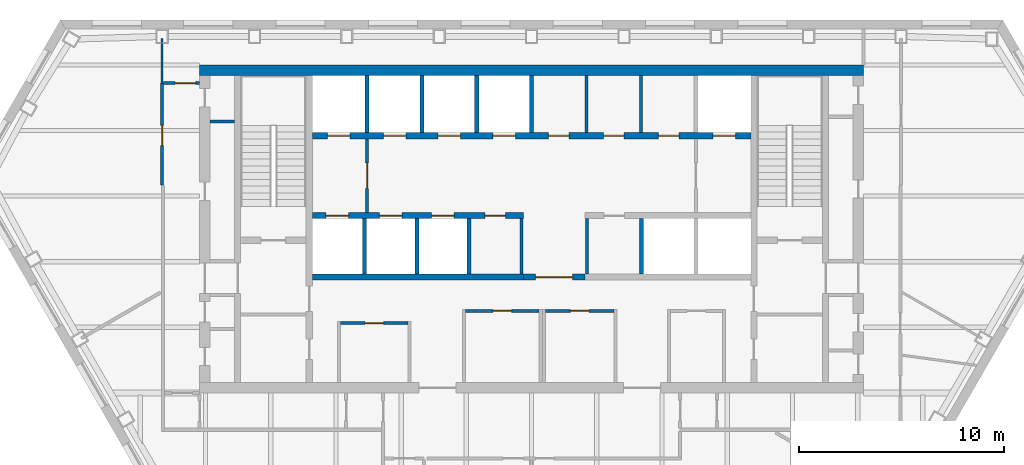
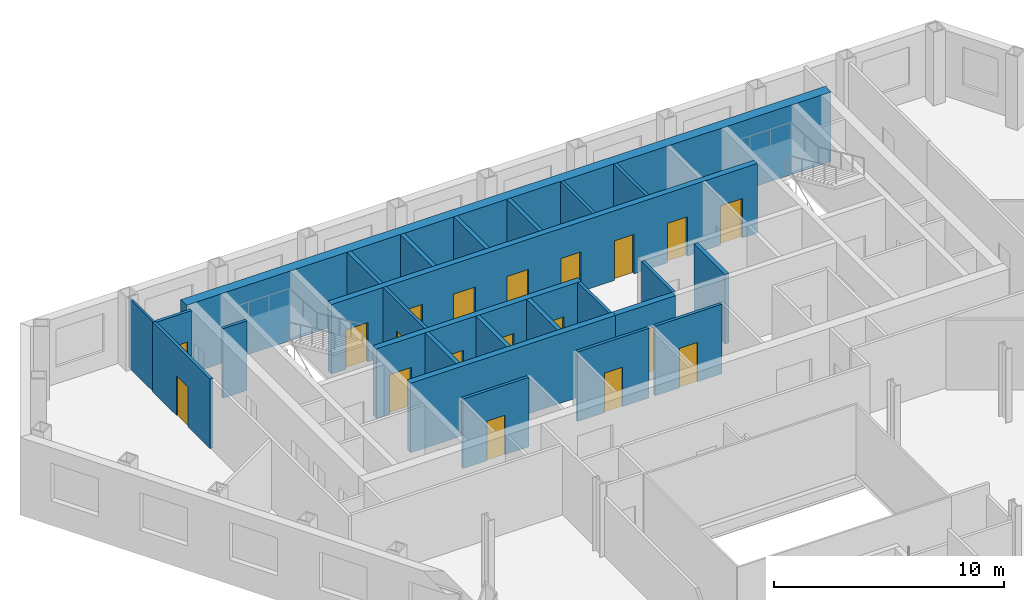
# One storey, part 6 of 11: 25 walls, 19 doors, 19 openings.
"""IFC4 building model written with IfcOpenShell, lengths in metres."""

from ifc_helpers import new_model, si_unit, direction, frame, frame_2d, origin, place, context, subcontext, project, spatial, rectangle, extrude, material, layer, layer_set, type_object, element, fill, save


model = new_model("IFC4")

# Units and contexts
model_context = context("Model", 3, precision=1e-05, world=origin(), true_north=direction((0.0, 1.0)))
body_context = subcontext(model_context, "Body", "Model", "MODEL_VIEW")
ifc_project = project(units=[si_unit("LENGTHUNIT", "METRE"), si_unit("AREAUNIT", "SQUARE_METRE"), si_unit("VOLUMEUNIT", "CUBIC_METRE"), si_unit("PLANEANGLEUNIT", "RADIAN"), si_unit("MASSUNIT", "GRAM", prefix="KILO")], contexts=[model_context])

# Site, building, storey
site_placement = place(None, origin())
site = spatial("IfcSite", under=ifc_project, at=site_placement, CompositionType="ELEMENT")
building_placement = place(site_placement, origin())
building = spatial("IfcBuilding", under=site, at=building_placement, Name="Njiva Tower", CompositionType="ELEMENT")
storey_placement = place(building_placement, frame((0.0, 0.0, 147.6)))
storey = spatial("IfcBuildingStorey", under=building, at=storey_placement, Name="L31", CompositionType="ELEMENT", Elevation=147.6)

# Walls
ifc_material_1 = material(Name="Blockwork", Category="masonry")
ifc_layer_1 = layer(ifc_material_1, 0.15)
ifc_layer_set_1 = layer_set([ifc_layer_1], Name="Blockwork")
wall_type_1 = type_object("IfcWallType", Name="WT1 Compartment partition 150", PredefinedType="PARTITIONING", material=ifc_layer_set_1)
for number, where, z_axis, x_axis, name in (
    (1, (2.675, 14.7, 0.0), (0.0, 0.0, 1.0), (0.0, 1.0, 0.0), "Partition CN5"),
    (2, (5.35, 14.7, 0.0), (0.0, 0.0, 1.0), (0.0, 1.0, 0.0), "Partition CN6"),
):
    element("IfcWall", number, at=place(storey_placement, frame(where, z_axis=z_axis, x_axis=x_axis)), inside=storey, type_object=wall_type_1, Name=name, PredefinedType="PARTITIONING", context=body_context, shape_type="SweptSolid", body=[
        extrude(rectangle(XDim=2.8, YDim=0.15, at=frame_2d((1.4, 0.0))), origin(), (0.0, 0.0, 1.0), 3.7),
    ])
for number, where, z_axis, x_axis, name in (
    (3, (-0.5, 7.8, 0.0), (0.0, 0.0, 1.0), (0.0, 1.0, 0.0), "Partition CS4"),
    (4, (2.7, 7.8, 0.0), (0.0, 0.0, 1.0), (0.0, 1.0, 0.0), "Partition CS5"),
):
    element("IfcWall", number, at=place(storey_placement, frame(where, z_axis=z_axis, x_axis=x_axis)), inside=storey, type_object=wall_type_1, Name=name, PredefinedType="PARTITIONING", context=body_context, shape_type="SweptSolid", body=[
        extrude(rectangle(XDim=2.7, YDim=0.15, at=frame_2d((1.35, 0.0))), origin(), (0.0, 0.0, 1.0), 3.7),
    ])

# Wall, opening, door
wall_1_placement = place(storey_placement, frame((-9.325, 5.4, 0.0), z_axis=(0.0, 0.0, 1.0), x_axis=(1.0, 0.0, 0.0)))
wall_1 = element("IfcWall", 5, at=wall_1_placement, inside=storey, type_object=wall_type_1, Name="Security office wall north", PredefinedType="PARTITIONING", context=body_context, shape_type="SweptSolid", body=[
    extrude(rectangle(XDim=3.3, YDim=0.15, at=frame_2d((1.65, 0.0))), origin(), (0.0, 0.0, 1.0), 3.7),
])
opening_1_placement = place(wall_1_placement, frame((1.2, 0.0, 0.0)))
opening_1 = element("IfcOpeningElement", 6, at=opening_1_placement, cuts=wall_1, Name="Opening S10-D934", PredefinedType="OPENING", context=body_context, shape_type="SweptSolid", body=[
    extrude(rectangle(XDim=0.9, YDim=2.1, at=frame_2d((0.45, 1.05))), frame((0.0, 0.085, 0.0), z_axis=(0.0, -1.0, 0.0), x_axis=(1.0, 0.0, 0.0)), (0.0, 0.0, 1.0), 0.17),
])
ifc_material_2 = material(Name="Steel fire door, painted", Category="steel")
door_type_1 = type_object("IfcDoorType", Name="D6 Fire-rated door 900x2100", OperationType="SINGLE_SWING_LEFT", PredefinedType="DOOR", material=ifc_material_2)
door_1_placement = place(opening_1_placement, origin())
door_1 = element("IfcDoor", 7, at=door_1_placement, inside=storey, type_object=door_type_1, Name="Security office door", OperationType="SINGLE_SWING_RIGHT", OverallHeight=2.1, OverallWidth=0.9, PredefinedType="DOOR", context=body_context, shape_type="SweptSolid", body=[
    extrude(rectangle(XDim=0.9, YDim=2.1, at=frame_2d((0.45, 1.05))), frame((0.0, 0.025, 0.0), z_axis=(0.0, -1.0, 0.0), x_axis=(1.0, 0.0, 0.0)), (0.0, 0.0, 1.0), 0.05),
])
fill(opening_1, door_1)

wall_2_placement = place(storey_placement, frame((-3.225, 6.0, 0.0), z_axis=(0.0, 0.0, 1.0), x_axis=(1.0, 0.0, 0.0)))
wall_2 = element("IfcWall", 8, at=wall_2_placement, inside=storey, type_object=wall_type_1, Name="Concierge office wall north", PredefinedType="PARTITIONING", context=body_context, shape_type="SweptSolid", body=[
    extrude(rectangle(XDim=3.6, YDim=0.15, at=frame_2d((1.8, 0.0))), origin(), (0.0, 0.0, 1.0), 3.7),
])
opening_2_placement = place(wall_2_placement, frame((1.35, 0.0, 0.0)))
opening_2 = element("IfcOpeningElement", 9, at=opening_2_placement, cuts=wall_2, Name="Opening S10-D935", PredefinedType="OPENING", context=body_context, shape_type="SweptSolid", body=[
    extrude(rectangle(XDim=0.9, YDim=2.1, at=frame_2d((0.45, 1.05))), frame((0.0, 0.085, 0.0), z_axis=(0.0, -1.0, 0.0), x_axis=(1.0, 0.0, 0.0)), (0.0, 0.0, 1.0), 0.17),
])
door_2_placement = place(opening_2_placement, origin())
door_2 = element("IfcDoor", 10, at=door_2_placement, inside=storey, type_object=door_type_1, Name="Concierge office door", OperationType="SINGLE_SWING_LEFT", OverallHeight=2.1, OverallWidth=0.9, PredefinedType="DOOR", context=body_context, shape_type="SweptSolid", body=[
    extrude(rectangle(XDim=0.9, YDim=2.1, at=frame_2d((0.45, 1.05))), frame((0.0, 0.025, 0.0), z_axis=(0.0, -1.0, 0.0), x_axis=(1.0, 0.0, 0.0)), (0.0, 0.0, 1.0), 0.05),
])
fill(opening_2, door_2)

wall_3_placement = place(storey_placement, frame((0.675, 6.0, 0.0), z_axis=(0.0, 0.0, 1.0), x_axis=(1.0, 0.0, 0.0)))
wall_3 = element("IfcWall", 11, at=wall_3_placement, inside=storey, type_object=wall_type_1, Name="Post room wall north", PredefinedType="PARTITIONING", context=body_context, shape_type="SweptSolid", body=[
    extrude(rectangle(XDim=3.35, YDim=0.15, at=frame_2d((1.675, 0.0))), origin(), (0.0, 0.0, 1.0), 3.7),
])
opening_3_placement = place(wall_3_placement, frame((1.225, 0.0, 0.0)))
opening_3 = element("IfcOpeningElement", 12, at=opening_3_placement, cuts=wall_3, Name="Opening S10-D936", PredefinedType="OPENING", context=body_context, shape_type="SweptSolid", body=[
    extrude(rectangle(XDim=0.9, YDim=2.1, at=frame_2d((0.45, 1.05))), frame((0.0, 0.085, 0.0), z_axis=(0.0, -1.0, 0.0), x_axis=(1.0, 0.0, 0.0)), (0.0, 0.0, 1.0), 0.17),
])
door_3_placement = place(opening_3_placement, origin())
door_3 = element("IfcDoor", 13, at=door_3_placement, inside=storey, type_object=door_type_1, Name="Post room door", OperationType="SINGLE_SWING_LEFT", OverallHeight=2.1, OverallWidth=0.9, PredefinedType="DOOR", context=body_context, shape_type="SweptSolid", body=[
    extrude(rectangle(XDim=0.9, YDim=2.1, at=frame_2d((0.45, 1.05))), frame((0.0, 0.025, 0.0), z_axis=(0.0, -1.0, 0.0), x_axis=(1.0, 0.0, 0.0)), (0.0, 0.0, 1.0), 0.05),
])
fill(opening_3, door_3)

# Wall
ifc_material_3 = material(Name="Concrete C60/75", Category="concrete")
ifc_layer_2 = layer(ifc_material_3, 0.5)
ifc_layer_set_2 = layer_set([ifc_layer_2], Name="Concrete C60/75")
wall_type_2 = type_object("IfcWallType", Name="WT13 Core wall 500", PredefinedType="SHEAR", material=ifc_layer_set_2)
wall_4_placement = place(storey_placement, frame((-16.2, 17.75, 0.0), z_axis=(0.0, 0.0, 1.0), x_axis=(1.0, 0.0, 0.0)))
element("IfcWall", 14, at=wall_4_placement, inside=storey, type_object=wall_type_2, Name="Core wall north", PredefinedType="SHEAR", context=body_context, shape_type="SweptSolid", body=[
    extrude(rectangle(XDim=32.4, YDim=0.5, at=frame_2d((16.2, 0.0))), origin(), (0.0, 0.0, 1.0), 3.7),
])

# Wall, opening, door
ifc_layer_3 = layer(ifc_material_1, 0.15)
ifc_layer_set_3 = layer_set([ifc_layer_3], Name="Blockwork")
wall_type_3 = type_object("IfcWallType", Name="WT2 Lobby partition 150", PredefinedType="PARTITIONING", material=ifc_layer_set_3)
wall_5_placement = place(storey_placement, frame((-8.025, 10.8, 0.0), z_axis=(0.0, 0.0, 1.0), x_axis=(0.0, 1.0, 0.0)))
wall_5 = element("IfcWall", 15, at=wall_5_placement, inside=storey, type_object=wall_type_3, Name="Firefighting lobby wall A", PredefinedType="PARTITIONING", context=body_context, shape_type="SweptSolid", body=[
    extrude(rectangle(XDim=3.6, YDim=0.15, at=frame_2d((1.8, 0.0))), origin(), (0.0, 0.0, 1.0), 3.7),
])
opening_4_placement = place(wall_5_placement, frame((1.175, 0.0, 0.0)))
opening_4 = element("IfcOpeningElement", 16, at=opening_4_placement, cuts=wall_5, Name="Opening S10-D914", PredefinedType="OPENING", context=body_context, shape_type="SweptSolid", body=[
    extrude(rectangle(XDim=1.25, YDim=2.1, at=frame_2d((0.625, 1.05))), frame((0.0, 0.085, 0.0), z_axis=(0.0, -1.0, 0.0), x_axis=(1.0, 0.0, 0.0)), (0.0, 0.0, 1.0), 0.17),
])
ifc_material_4 = material(Name="Glazed steel fire door", Category="steel")
door_type_2 = type_object("IfcDoorType", Name="D8 Vestibule corridor door 1250x2100 glazed", OperationType="SINGLE_SWING_LEFT", PredefinedType="DOOR", material=ifc_material_4)
door_4_placement = place(opening_4_placement, origin())
door_4 = element("IfcDoor", 17, at=door_4_placement, inside=storey, type_object=door_type_2, Name="Stair vestibule corridor door", OperationType="SINGLE_SWING_RIGHT", OverallHeight=2.1, OverallWidth=1.25, PredefinedType="DOOR", context=body_context, shape_type="SweptSolid", body=[
    extrude(rectangle(XDim=1.25, YDim=2.1, at=frame_2d((0.625, 1.05))), frame((0.0, 0.025, 0.0), z_axis=(0.0, -1.0, 0.0), x_axis=(1.0, 0.0, 0.0)), (0.0, 0.0, 1.0), 0.05),
])
fill(opening_4, door_4)

# Wall
ifc_material_5 = material(Name="Gypsum board on steel studs", Category="gypsum")
ifc_layer_4 = layer(ifc_material_5, 0.1)
ifc_layer_set_4 = layer_set([ifc_layer_4], Name="Gypsum board on steel studs")
wall_type_4 = type_object("IfcWallType", Name="WT20 Gypsum partition 100", PredefinedType="PARTITIONING", material=ifc_layer_set_4)
wall_6_placement = place(storey_placement, frame((-18.034, 17.129, 0.0), z_axis=(0.0, 0.0, 1.0), x_axis=(0.0, 1.0, 0.0)))
element("IfcWall", 18, at=wall_6_placement, inside=storey, type_object=wall_type_4, Name="Partition S10-P003", PredefinedType="PARTITIONING", context=body_context, shape_type="SweptSolid", body=[
    extrude(rectangle(XDim=2.171, YDim=0.1, at=frame_2d((1.0855, 0.0))), origin(), (0.0, 0.0, 1.0), 3.7),
])

# Wall, opening, door
ifc_layer_5 = layer(ifc_material_5, 0.15)
ifc_layer_set_5 = layer_set([ifc_layer_5], Name="Gypsum board on steel studs")
wall_type_5 = type_object("IfcWallType", Name="WT21 Compartment wall 150", PredefinedType="PARTITIONING", material=ifc_layer_set_5)
wall_7_placement = place(storey_placement, frame((-18.034, 12.146, 0.0), z_axis=(0.0, 0.0, 1.0), x_axis=(0.0, 1.0, 0.0)))
wall_7 = element("IfcWall", 19, at=wall_7_placement, inside=storey, type_object=wall_type_5, Name="Partition S10-P002", PredefinedType="PARTITIONING", context=body_context, shape_type="SweptSolid", body=[
    extrude(rectangle(XDim=4.983, YDim=0.15, at=frame_2d((2.4915, 0.0))), origin(), (0.0, 0.0, 1.0), 3.7),
])
opening_5_placement = place(wall_7_placement, frame((1.916, 0.0, 0.0)))
opening_5 = element("IfcOpeningElement", 20, at=opening_5_placement, cuts=wall_7, Name="Opening S10-D001", PredefinedType="OPENING", context=body_context, shape_type="SweptSolid", body=[
    extrude(rectangle(XDim=1.0, YDim=2.1, at=frame_2d((0.5, 1.05))), frame((0.0, 0.085, 0.0), z_axis=(0.0, -1.0, 0.0), x_axis=(1.0, 0.0, 0.0)), (0.0, 0.0, 1.0), 0.17),
])
ifc_material_6 = material(Name="Steel fire door set", Category="steel")
door_type_3 = type_object("IfcDoorType", Name="D37 Fire door 1000x2100", OperationType="SINGLE_SWING_LEFT", PredefinedType="DOOR", material=ifc_material_6)
door_5_placement = place(opening_5_placement, origin())
door_5 = element("IfcDoor", 21, at=door_5_placement, inside=storey, type_object=door_type_3, Name="Door S10-D001", OperationType="SINGLE_SWING_RIGHT", OverallHeight=2.1, OverallWidth=1.0, PredefinedType="DOOR", context=body_context, shape_type="SweptSolid", body=[
    extrude(rectangle(XDim=1.0, YDim=2.1, at=frame_2d((0.5, 1.05))), frame((0.0, 0.025, 0.0), z_axis=(0.0, -1.0, 0.0), x_axis=(1.0, 0.0, 0.0)), (0.0, 0.0, 1.0), 0.05),
])
fill(opening_5, door_5)

wall_8_placement = place(storey_placement, frame((-17.959, 17.117, 0.0), z_axis=(0.0, 0.0, 1.0), x_axis=(1.0, 0.0, 0.0)))
wall_8 = element("IfcWall", 22, at=wall_8_placement, inside=storey, type_object=wall_type_5, Name="Partition S10-P005", PredefinedType="PARTITIONING", context=body_context, shape_type="SweptSolid", body=[
    extrude(rectangle(XDim=1.759, YDim=0.15, at=frame_2d((0.8795, 0.0))), origin(), (0.0, 0.0, 1.0), 3.7),
])
opening_6_placement = place(wall_8_placement, frame((0.559, 0.0, 0.0)))
opening_6 = element("IfcOpeningElement", 23, at=opening_6_placement, cuts=wall_8, Name="Opening S10-D002", PredefinedType="OPENING", context=body_context, shape_type="SweptSolid", body=[
    extrude(rectangle(XDim=1.0, YDim=2.1, at=frame_2d((0.5, 1.05))), frame((0.0, 0.085, 0.0), z_axis=(0.0, -1.0, 0.0), x_axis=(1.0, 0.0, 0.0)), (0.0, 0.0, 1.0), 0.17),
])
door_6_placement = place(opening_6_placement, origin())
door_6 = element("IfcDoor", 24, at=door_6_placement, inside=storey, type_object=door_type_3, Name="Door S10-D002", OperationType="SINGLE_SWING_LEFT", OverallHeight=2.1, OverallWidth=1.0, PredefinedType="DOOR", context=body_context, shape_type="SweptSolid", body=[
    extrude(rectangle(XDim=1.0, YDim=2.1, at=frame_2d((0.5, 1.05))), frame((0.0, 0.025, 0.0), z_axis=(0.0, -1.0, 0.0), x_axis=(1.0, 0.0, 0.0)), (0.0, 0.0, 1.0), 0.05),
])
fill(opening_6, door_6)

# Wall
ifc_layer_6 = layer(ifc_material_1, 0.15)
ifc_layer_set_6 = layer_set([ifc_layer_6], Name="Blockwork")
wall_type_6 = type_object("IfcWallType", Name="WT3 Riser partition 150", PredefinedType="PARTITIONING", material=ifc_layer_set_6)
wall_9_placement = place(storey_placement, frame((-15.7, 15.2396, 0.0), z_axis=(0.0, 0.0, 1.0), x_axis=(1.0, 0.0, 0.0)))
element("IfcWall", 25, at=wall_9_placement, inside=storey, type_object=wall_type_6, Name="Partition strip W10", PredefinedType="PARTITIONING", context=body_context, shape_type="SweptSolid", body=[
    extrude(rectangle(XDim=1.2, YDim=0.15, at=frame_2d((0.6, 0.0))), origin(), (0.0, 0.0, 1.0), 3.7),
])

# Wall, opening, door
ifc_layer_7 = layer(ifc_material_1, 0.3)
ifc_layer_set_7 = layer_set([ifc_layer_7], Name="Blockwork")
wall_type_7 = type_object("IfcWallType", Name="WT5 Lobby partition 300", PredefinedType="PARTITIONING", material=ifc_layer_set_7)
wall_10_placement = place(storey_placement, frame((-0.4, 7.65, 0.0), z_axis=(0.0, 0.0, 1.0), x_axis=(1.0, 0.0, 0.0)))
wall_10 = element("IfcWall", 26, at=wall_10_placement, inside=storey, type_object=wall_type_7, Name="Lift lobby screen wall", PredefinedType="PARTITIONING", context=body_context, shape_type="SweptSolid", body=[
    extrude(rectangle(XDim=3.0, YDim=0.3, at=frame_2d((1.5, 0.0))), origin(), (0.0, 0.0, 1.0), 3.7),
])
opening_7_placement = place(wall_10_placement, frame((0.6, 0.0, 0.0)))
opening_7 = element("IfcOpeningElement", 27, at=opening_7_placement, cuts=wall_10, Name="Opening S10-D938", PredefinedType="OPENING", context=body_context, shape_type="SweptSolid", body=[
    extrude(rectangle(XDim=1.8, YDim=2.4, at=frame_2d((0.9, 1.2))), frame((0.0, 0.16, 0.0), z_axis=(0.0, -1.0, 0.0), x_axis=(1.0, 0.0, 0.0)), (0.0, 0.0, 1.0), 0.32),
])
ifc_material_7 = material(Name="Steel and glass door", Category="steel")
door_type_4 = type_object("IfcDoorType", Name="D3 Core entrance door 1800x2400", OperationType="DOUBLE_DOOR_SINGLE_SWING", PredefinedType="DOOR", material=ifc_material_7)
door_7_placement = place(opening_7_placement, origin())
door_7 = element("IfcDoor", 28, at=door_7_placement, inside=storey, type_object=door_type_4, Name="Core entrance door", OperationType="DOUBLE_DOOR_SINGLE_SWING", OverallHeight=2.4, OverallWidth=1.8, PredefinedType="DOOR", context=body_context, shape_type="SweptSolid", body=[
    extrude(rectangle(XDim=1.8, YDim=2.4, at=frame_2d((0.9, 1.2))), frame((0.0, 0.025, 0.0), z_axis=(0.0, -1.0, 0.0), x_axis=(1.0, 0.0, 0.0)), (0.0, 0.0, 1.0), 0.05),
])
fill(opening_7, door_7)

# Walls
ifc_material_8 = material(Name="Concrete C40/50", Category="concrete")
ifc_layer_8 = layer(ifc_material_8, 0.2)
ifc_layer_set_8 = layer_set([ifc_layer_8], Name="Concrete C40/50")
wall_type_8 = type_object("IfcWallType", Name="WT6 Lift shaft wall 200", PredefinedType="SHEAR", material=ifc_layer_set_8)
for number, where, z_axis, x_axis, name in (
    (29, (-8.025, 14.7, 0.0), (0.0, 0.0, 1.0), (0.0, 1.0, 0.0), "Shaft wall CN1"),
    (30, (-5.35, 14.7, 0.0), (0.0, 0.0, 1.0), (0.0, 1.0, 0.0), "Shaft wall CN2"),
    (31, (-2.675, 14.7, 0.0), (0.0, 0.0, 1.0), (0.0, 1.0, 0.0), "Shaft wall CN3"),
    (32, (0.0, 14.7, 0.0), (0.0, 0.0, 1.0), (0.0, 1.0, 0.0), "Shaft wall CN4"),
):
    element("IfcWall", number, at=place(storey_placement, frame(where, z_axis=z_axis, x_axis=x_axis)), inside=storey, type_object=wall_type_8, Name=name, PredefinedType="SHEAR", context=body_context, shape_type="SweptSolid", body=[
        extrude(rectangle(XDim=2.8, YDim=0.2, at=frame_2d((1.4, 0.0))), origin(), (0.0, 0.0, 1.0), 3.7),
    ])
for number, where, z_axis, x_axis, name in (
    (33, (-8.15, 7.8, 0.0), (0.0, 0.0, 1.0), (0.0, 1.0, 0.0), "Shaft wall CS1"),
    (34, (-5.6, 7.8, 0.0), (0.0, 0.0, 1.0), (0.0, 1.0, 0.0), "Shaft wall CS2"),
    (35, (-3.05, 7.8, 0.0), (0.0, 0.0, 1.0), (0.0, 1.0, 0.0), "Shaft wall CS3"),
    (36, (5.3667, 7.8, 0.0), (0.0, 0.0, 1.0), (0.0, 1.0, 0.0), "Shaft wall CS6"),
):
    element("IfcWall", number, at=place(storey_placement, frame(where, z_axis=z_axis, x_axis=x_axis)), inside=storey, type_object=wall_type_8, Name=name, PredefinedType="SHEAR", context=body_context, shape_type="SweptSolid", body=[
        extrude(rectangle(XDim=2.7, YDim=0.2, at=frame_2d((1.35, 0.0))), origin(), (0.0, 0.0, 1.0), 3.7),
    ])

# Wall, openings, doors
ifc_layer_9 = layer(ifc_material_8, 0.3)
ifc_layer_set_9 = layer_set([ifc_layer_9], Name="Concrete C40/50")
wall_type_9 = type_object("IfcWallType", Name="WT7 Lift shaft wall 300", PredefinedType="SHEAR", material=ifc_layer_set_9)
wall_11_placement = place(storey_placement, frame((-10.7, 14.55, 0.0), z_axis=(0.0, 0.0, 1.0), x_axis=(1.0, 0.0, 0.0)))
wall_11 = element("IfcWall", 37, at=wall_11_placement, inside=storey, type_object=wall_type_9, Name="Shaft wall north row lobby side", PredefinedType="SHEAR", context=body_context, shape_type="SweptSolid", body=[
    extrude(rectangle(XDim=21.4, YDim=0.3, at=frame_2d((10.7, 0.0))), origin(), (0.0, 0.0, 1.0), 3.7),
])
opening_8_placement = place(wall_11_placement, frame((0.7375, 0.0, 0.0)))
opening_8 = element("IfcOpeningElement", 38, at=opening_8_placement, cuts=wall_11, Name="Opening S10-D901", PredefinedType="OPENING", context=body_context, shape_type="SweptSolid", body=[
    extrude(rectangle(XDim=1.1, YDim=2.1, at=frame_2d((0.55, 1.05))), frame((0.0, 0.16, 0.0), z_axis=(0.0, -1.0, 0.0), x_axis=(1.0, 0.0, 0.0)), (0.0, 0.0, 1.0), 0.32),
])
opening_9_placement = place(wall_11_placement, frame((3.4625, 0.0, 0.0)))
opening_9 = element("IfcOpeningElement", 39, at=opening_9_placement, cuts=wall_11, Name="Opening S10-D902", PredefinedType="OPENING", context=body_context, shape_type="SweptSolid", body=[
    extrude(rectangle(XDim=1.1, YDim=2.1, at=frame_2d((0.55, 1.05))), frame((0.0, 0.16, 0.0), z_axis=(0.0, -1.0, 0.0), x_axis=(1.0, 0.0, 0.0)), (0.0, 0.0, 1.0), 0.32),
])
opening_10_placement = place(wall_11_placement, frame((6.1375, 0.0, 0.0)))
opening_10 = element("IfcOpeningElement", 40, at=opening_10_placement, cuts=wall_11, Name="Opening S10-D903", PredefinedType="OPENING", context=body_context, shape_type="SweptSolid", body=[
    extrude(rectangle(XDim=1.1, YDim=2.1, at=frame_2d((0.55, 1.05))), frame((0.0, 0.16, 0.0), z_axis=(0.0, -1.0, 0.0), x_axis=(1.0, 0.0, 0.0)), (0.0, 0.0, 1.0), 0.32),
])
opening_11_placement = place(wall_11_placement, frame((8.8125, 0.0, 0.0)))
opening_11 = element("IfcOpeningElement", 41, at=opening_11_placement, cuts=wall_11, Name="Opening S10-D904", PredefinedType="OPENING", context=body_context, shape_type="SweptSolid", body=[
    extrude(rectangle(XDim=1.1, YDim=2.1, at=frame_2d((0.55, 1.05))), frame((0.0, 0.16, 0.0), z_axis=(0.0, -1.0, 0.0), x_axis=(1.0, 0.0, 0.0)), (0.0, 0.0, 1.0), 0.32),
])
opening_12_placement = place(wall_11_placement, frame((19.5625, 0.0, 0.0)))
opening_12 = element("IfcOpeningElement", 42, at=opening_12_placement, cuts=wall_11, Name="Opening S10-D905", PredefinedType="OPENING", context=body_context, shape_type="SweptSolid", body=[
    extrude(rectangle(XDim=1.1, YDim=2.1, at=frame_2d((0.55, 1.05))), frame((0.0, 0.16, 0.0), z_axis=(0.0, -1.0, 0.0), x_axis=(1.0, 0.0, 0.0)), (0.0, 0.0, 1.0), 0.32),
])
opening_13_placement = place(wall_11_placement, frame((11.5375, 0.0, 0.0)))
opening_13 = element("IfcOpeningElement", 43, at=opening_13_placement, cuts=wall_11, Name="Opening S10-D909", PredefinedType="OPENING", context=body_context, shape_type="SweptSolid", body=[
    extrude(rectangle(XDim=1.0, YDim=2.1, at=frame_2d((0.5, 1.05))), frame((0.0, 0.16, 0.0), z_axis=(0.0, -1.0, 0.0), x_axis=(1.0, 0.0, 0.0)), (0.0, 0.0, 1.0), 0.32),
])
opening_14_placement = place(wall_11_placement, frame((14.2125, 0.0, 0.0)))
opening_14 = element("IfcOpeningElement", 44, at=opening_14_placement, cuts=wall_11, Name="Opening S10-D910", PredefinedType="OPENING", context=body_context, shape_type="SweptSolid", body=[
    extrude(rectangle(XDim=1.0, YDim=2.1, at=frame_2d((0.5, 1.05))), frame((0.0, 0.16, 0.0), z_axis=(0.0, -1.0, 0.0), x_axis=(1.0, 0.0, 0.0)), (0.0, 0.0, 1.0), 0.32),
])
opening_15_placement = place(wall_11_placement, frame((16.8875, 0.0, 0.0)))
opening_15 = element("IfcOpeningElement", 45, at=opening_15_placement, cuts=wall_11, Name="Opening S10-D911", PredefinedType="OPENING", context=body_context, shape_type="SweptSolid", body=[
    extrude(rectangle(XDim=1.0, YDim=2.1, at=frame_2d((0.5, 1.05))), frame((0.0, 0.16, 0.0), z_axis=(0.0, -1.0, 0.0), x_axis=(1.0, 0.0, 0.0)), (0.0, 0.0, 1.0), 0.32),
])
ifc_material_9 = material(Name="Steel door, painted", Category="steel")
door_type_5 = type_object("IfcDoorType", Name="D5 Steel door 1000x2100", OperationType="SINGLE_SWING_LEFT", PredefinedType="DOOR", material=ifc_material_9)
door_8_placement = place(opening_13_placement, origin())
door_8 = element("IfcDoor", 46, at=door_8_placement, inside=storey, type_object=door_type_5, Name="Business centre door", OperationType="SINGLE_SWING_LEFT", OverallHeight=2.1, OverallWidth=1.0, PredefinedType="DOOR", context=body_context, shape_type="SweptSolid", body=[
    extrude(rectangle(XDim=1.0, YDim=2.1, at=frame_2d((0.5, 1.05))), frame((0.0, 0.025, 0.0), z_axis=(0.0, -1.0, 0.0), x_axis=(1.0, 0.0, 0.0)), (0.0, 0.0, 1.0), 0.05),
])
fill(opening_13, door_8)
door_9_placement = place(opening_14_placement, origin())
door_9 = element("IfcDoor", 47, at=door_9_placement, inside=storey, type_object=door_type_5, Name="Meeting room door", OperationType="SINGLE_SWING_LEFT", OverallHeight=2.1, OverallWidth=1.0, PredefinedType="DOOR", context=body_context, shape_type="SweptSolid", body=[
    extrude(rectangle(XDim=1.0, YDim=2.1, at=frame_2d((0.5, 1.05))), frame((0.0, 0.025, 0.0), z_axis=(0.0, -1.0, 0.0), x_axis=(1.0, 0.0, 0.0)), (0.0, 0.0, 1.0), 0.05),
])
fill(opening_14, door_9)
door_10_placement = place(opening_15_placement, origin())
door_10 = element("IfcDoor", 48, at=door_10_placement, inside=storey, type_object=door_type_5, Name="Breakout room door", OperationType="SINGLE_SWING_LEFT", OverallHeight=2.1, OverallWidth=1.0, PredefinedType="DOOR", context=body_context, shape_type="SweptSolid", body=[
    extrude(rectangle(XDim=1.0, YDim=2.1, at=frame_2d((0.5, 1.05))), frame((0.0, 0.025, 0.0), z_axis=(0.0, -1.0, 0.0), x_axis=(1.0, 0.0, 0.0)), (0.0, 0.0, 1.0), 0.05),
])
fill(opening_15, door_10)
ifc_material_10 = material(Name="Stainless steel sliding door", Category="steel")
door_type_6 = type_object("IfcDoorType", Name="LD Lift landing door 1100x2100", OperationType="SLIDING_TO_LEFT", PredefinedType="DOOR", material=ifc_material_10)
door_11_placement = place(opening_8_placement, origin())
door_11 = element("IfcDoor", 49, at=door_11_placement, inside=storey, type_object=door_type_6, Name="Lift landing door FF1", OperationType="SLIDING_TO_LEFT", OverallHeight=2.1, OverallWidth=1.1, PredefinedType="DOOR", context=body_context, shape_type="SweptSolid", body=[
    extrude(rectangle(XDim=1.1, YDim=2.1, at=frame_2d((0.55, 1.05))), frame((0.0, 0.025, 0.0), z_axis=(0.0, -1.0, 0.0), x_axis=(1.0, 0.0, 0.0)), (0.0, 0.0, 1.0), 0.05),
])
fill(opening_8, door_11)
door_12_placement = place(opening_9_placement, origin())
door_12 = element("IfcDoor", 50, at=door_12_placement, inside=storey, type_object=door_type_6, Name="Lift landing door MB4", OperationType="SLIDING_TO_LEFT", OverallHeight=2.1, OverallWidth=1.1, PredefinedType="DOOR", context=body_context, shape_type="SweptSolid", body=[
    extrude(rectangle(XDim=1.1, YDim=2.1, at=frame_2d((0.55, 1.05))), frame((0.0, 0.025, 0.0), z_axis=(0.0, -1.0, 0.0), x_axis=(1.0, 0.0, 0.0)), (0.0, 0.0, 1.0), 0.05),
])
fill(opening_9, door_12)
door_13_placement = place(opening_10_placement, origin())
door_13 = element("IfcDoor", 51, at=door_13_placement, inside=storey, type_object=door_type_6, Name="Lift landing door MB5", OperationType="SLIDING_TO_LEFT", OverallHeight=2.1, OverallWidth=1.1, PredefinedType="DOOR", context=body_context, shape_type="SweptSolid", body=[
    extrude(rectangle(XDim=1.1, YDim=2.1, at=frame_2d((0.55, 1.05))), frame((0.0, 0.025, 0.0), z_axis=(0.0, -1.0, 0.0), x_axis=(1.0, 0.0, 0.0)), (0.0, 0.0, 1.0), 0.05),
])
fill(opening_10, door_13)
door_14_placement = place(opening_11_placement, origin())
door_14 = element("IfcDoor", 52, at=door_14_placement, inside=storey, type_object=door_type_6, Name="Lift landing door MB6", OperationType="SLIDING_TO_LEFT", OverallHeight=2.1, OverallWidth=1.1, PredefinedType="DOOR", context=body_context, shape_type="SweptSolid", body=[
    extrude(rectangle(XDim=1.1, YDim=2.1, at=frame_2d((0.55, 1.05))), frame((0.0, 0.025, 0.0), z_axis=(0.0, -1.0, 0.0), x_axis=(1.0, 0.0, 0.0)), (0.0, 0.0, 1.0), 0.05),
])
fill(opening_11, door_14)
door_15_placement = place(opening_12_placement, origin())
door_15 = element("IfcDoor", 53, at=door_15_placement, inside=storey, type_object=door_type_6, Name="Lift landing door FF2", OperationType="SLIDING_TO_LEFT", OverallHeight=2.1, OverallWidth=1.1, PredefinedType="DOOR", context=body_context, shape_type="SweptSolid", body=[
    extrude(rectangle(XDim=1.1, YDim=2.1, at=frame_2d((0.55, 1.05))), frame((0.0, 0.025, 0.0), z_axis=(0.0, -1.0, 0.0), x_axis=(1.0, 0.0, 0.0)), (0.0, 0.0, 1.0), 0.05),
])
fill(opening_12, door_15)

wall_12_placement = place(storey_placement, frame((-10.7, 10.65, 0.0), z_axis=(0.0, 0.0, 1.0), x_axis=(1.0, 0.0, 0.0)))
wall_12 = element("IfcWall", 54, at=wall_12_placement, inside=storey, type_object=wall_type_9, Name="Shaft wall south row lobby side W", PredefinedType="SHEAR", context=body_context, shape_type="SweptSolid", body=[
    extrude(rectangle(XDim=10.3, YDim=0.3, at=frame_2d((5.15, 0.0))), origin(), (0.0, 0.0, 1.0), 3.7),
])
opening_16_placement = place(wall_12_placement, frame((0.675, 0.0, 0.0)))
opening_16 = element("IfcOpeningElement", 55, at=opening_16_placement, cuts=wall_12, Name="Opening S10-D906", PredefinedType="OPENING", context=body_context, shape_type="SweptSolid", body=[
    extrude(rectangle(XDim=1.1, YDim=2.1, at=frame_2d((0.55, 1.05))), frame((0.0, 0.16, 0.0), z_axis=(0.0, -1.0, 0.0), x_axis=(1.0, 0.0, 0.0)), (0.0, 0.0, 1.0), 0.32),
])
opening_17_placement = place(wall_12_placement, frame((3.275, 0.0, 0.0)))
opening_17 = element("IfcOpeningElement", 56, at=opening_17_placement, cuts=wall_12, Name="Opening S10-D907", PredefinedType="OPENING", context=body_context, shape_type="SweptSolid", body=[
    extrude(rectangle(XDim=1.1, YDim=2.1, at=frame_2d((0.55, 1.05))), frame((0.0, 0.16, 0.0), z_axis=(0.0, -1.0, 0.0), x_axis=(1.0, 0.0, 0.0)), (0.0, 0.0, 1.0), 0.32),
])
opening_18_placement = place(wall_12_placement, frame((5.825, 0.0, 0.0)))
opening_18 = element("IfcOpeningElement", 57, at=opening_18_placement, cuts=wall_12, Name="Opening S10-D908", PredefinedType="OPENING", context=body_context, shape_type="SweptSolid", body=[
    extrude(rectangle(XDim=1.1, YDim=2.1, at=frame_2d((0.55, 1.05))), frame((0.0, 0.16, 0.0), z_axis=(0.0, -1.0, 0.0), x_axis=(1.0, 0.0, 0.0)), (0.0, 0.0, 1.0), 0.32),
])
opening_19_placement = place(wall_12_placement, frame((8.425, 0.0, 0.0)))
opening_19 = element("IfcOpeningElement", 58, at=opening_19_placement, cuts=wall_12, Name="Opening S10-D912", PredefinedType="OPENING", context=body_context, shape_type="SweptSolid", body=[
    extrude(rectangle(XDim=1.0, YDim=2.1, at=frame_2d((0.5, 1.05))), frame((0.0, 0.16, 0.0), z_axis=(0.0, -1.0, 0.0), x_axis=(1.0, 0.0, 0.0)), (0.0, 0.0, 1.0), 0.32),
])
door_16_placement = place(opening_19_placement, origin())
door_16 = element("IfcDoor", 59, at=door_16_placement, inside=storey, type_object=door_type_5, Name="Breakout room door", OperationType="SINGLE_SWING_RIGHT", OverallHeight=2.1, OverallWidth=1.0, PredefinedType="DOOR", context=body_context, shape_type="SweptSolid", body=[
    extrude(rectangle(XDim=1.0, YDim=2.1, at=frame_2d((0.5, 1.05))), frame((0.0, 0.025, 0.0), z_axis=(0.0, -1.0, 0.0), x_axis=(1.0, 0.0, 0.0)), (0.0, 0.0, 1.0), 0.05),
])
fill(opening_19, door_16)
door_17_placement = place(opening_16_placement, origin())
door_17 = element("IfcDoor", 60, at=door_17_placement, inside=storey, type_object=door_type_6, Name="Lift landing door MB1", OperationType="SLIDING_TO_LEFT", OverallHeight=2.1, OverallWidth=1.1, PredefinedType="DOOR", context=body_context, shape_type="SweptSolid", body=[
    extrude(rectangle(XDim=1.1, YDim=2.1, at=frame_2d((0.55, 1.05))), frame((0.0, 0.025, 0.0), z_axis=(0.0, -1.0, 0.0), x_axis=(1.0, 0.0, 0.0)), (0.0, 0.0, 1.0), 0.05),
])
fill(opening_16, door_17)
door_18_placement = place(opening_17_placement, origin())
door_18 = element("IfcDoor", 61, at=door_18_placement, inside=storey, type_object=door_type_6, Name="Lift landing door MB2", OperationType="SLIDING_TO_LEFT", OverallHeight=2.1, OverallWidth=1.1, PredefinedType="DOOR", context=body_context, shape_type="SweptSolid", body=[
    extrude(rectangle(XDim=1.1, YDim=2.1, at=frame_2d((0.55, 1.05))), frame((0.0, 0.025, 0.0), z_axis=(0.0, -1.0, 0.0), x_axis=(1.0, 0.0, 0.0)), (0.0, 0.0, 1.0), 0.05),
])
fill(opening_17, door_18)
door_19_placement = place(opening_18_placement, origin())
door_19 = element("IfcDoor", 62, at=door_19_placement, inside=storey, type_object=door_type_6, Name="Lift landing door MB3", OperationType="SLIDING_TO_LEFT", OverallHeight=2.1, OverallWidth=1.1, PredefinedType="DOOR", context=body_context, shape_type="SweptSolid", body=[
    extrude(rectangle(XDim=1.1, YDim=2.1, at=frame_2d((0.55, 1.05))), frame((0.0, 0.025, 0.0), z_axis=(0.0, -1.0, 0.0), x_axis=(1.0, 0.0, 0.0)), (0.0, 0.0, 1.0), 0.05),
])
fill(opening_18, door_19)

# Wall
wall_13_placement = place(storey_placement, frame((-10.7, 7.65, 0.0), z_axis=(0.0, 0.0, 1.0), x_axis=(1.0, 0.0, 0.0)))
element("IfcWall", 63, at=wall_13_placement, inside=storey, type_object=wall_type_9, Name="Shaft wall south row back W", PredefinedType="SHEAR", context=body_context, shape_type="SweptSolid", body=[
    extrude(rectangle(XDim=10.3, YDim=0.3, at=frame_2d((5.15, 0.0))), origin(), (0.0, 0.0, 1.0), 3.7),
])

save(model, "model.ifc")
